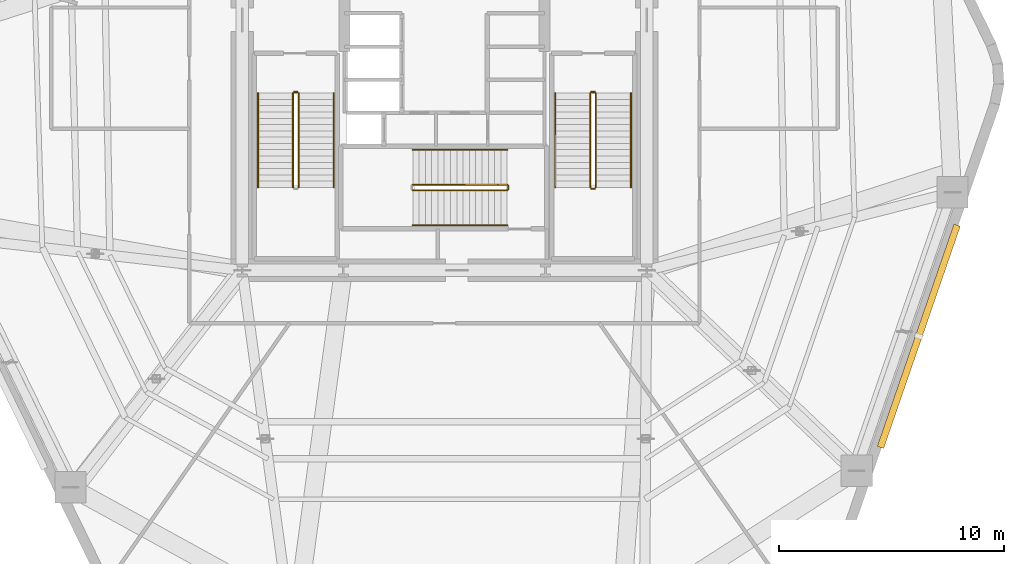
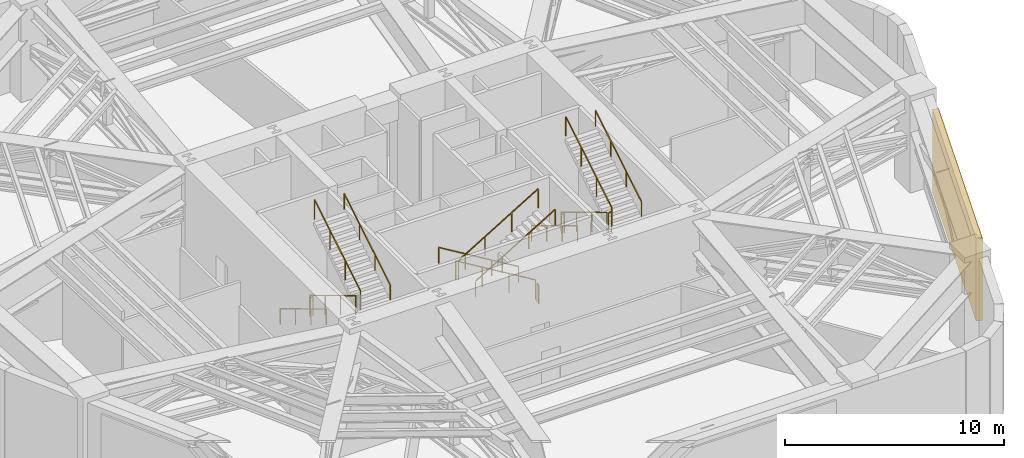
# One storey, part 10 of 11: 16 railings, 1 shading device.
"""IFC4 building model written with IfcOpenShell, lengths in metres."""

import ifcopenshell
import ifcopenshell.guid

model = None  # the IFC model being written
_history = None  # IfcOwnerHistory: only IFC2X3 demands one
_inside = {}  # id of a spatial element -> (the spatial element, [elements in it])
_under = {}  # id of a project, library or spatial element -> (it, [spatial elements below it])
_declared = {}  # id of a project -> (the project, [libraries it declares])
_typed = {}  # id of a type object -> (the type object, [elements of that type])
_made_of = {}  # id of a material, layer set ... -> (it, [elements and type objects made of it])


def new_model(schema):
    """Start an empty IFC model of exactly this schema.

    Asked for "IFC4X3", IfcOpenShell would pick the latest addendum, in which some entities
    have other attributes; the version numbers below select the first issue.
    IFC2X3 requires an IfcOwnerHistory on every rooted entity: one is made here for all.
    """
    global model, _history
    if schema == "IFC4X3":
        model = ifcopenshell.file(schema_version=(4, 3, 0, 0))
    else:
        model = ifcopenshell.file(schema=schema)
    _inside.clear()
    _under.clear()
    _declared.clear()
    _typed.clear()
    _made_of.clear()
    _history = None
    if model.schema == "IFC2X3":
        org = make("IfcOrganization", Name="unknown")
        user = make(
            "IfcPersonAndOrganization",
            ThePerson=make("IfcPerson", FamilyName="unknown"),
            TheOrganization=org,
        )
        app = make(
            "IfcApplication",
            ApplicationDeveloper=org,
            Version="unknown",
            ApplicationFullName="unknown",
            ApplicationIdentifier="unknown",
        )
        _history = make(
            "IfcOwnerHistory",
            OwningUser=user,
            OwningApplication=app,
            ChangeAction="ADDED",
            CreationDate=0,
        )
    return model


def make(cls, **values):
    """One entity of the class cls with the attributes given. An attribute that is None is left unset."""
    return model.create_entity(
        cls, **{name: value for name, value in values.items() if value is not None}
    )


def rooted(cls, **values):
    """An entity with a GlobalId (a new one), such as an element, a storey or a relation."""
    return make(cls, GlobalId=ifcopenshell.guid.new(), OwnerHistory=_history, **values)


def si_unit(unit_type, name, prefix=None):
    """IfcSIUnit, for example si_unit("LENGTHUNIT", "METRE", prefix="MILLI")."""
    return make("IfcSIUnit", UnitType=unit_type, Prefix=prefix, Name=name)


def assignment(units):
    """IfcUnitAssignment: the units of a project."""
    return None if units is None else make("IfcUnitAssignment", Units=units)


def point(xyz):
    """IfcCartesianPoint."""
    return None if xyz is None else make("IfcCartesianPoint", Coordinates=xyz)


def direction(xyz):
    """IfcDirection."""
    return None if xyz is None else make("IfcDirection", DirectionRatios=xyz)


def frame(location, z_axis=None, x_axis=None):
    """IfcAxis2Placement3D, a coordinate frame: its origin and axes. An axis left out is left unset."""
    return make(
        "IfcAxis2Placement3D",
        Location=point(location),
        Axis=direction(z_axis),
        RefDirection=direction(x_axis),
    )


def frame_2d(location, x_axis=None):
    """IfcAxis2Placement2D, a coordinate frame in the plane: its origin and x axis."""
    return make(
        "IfcAxis2Placement2D", Location=point(location), RefDirection=direction(x_axis)
    )


def origin():
    """The frame at (0, 0, 0) with its axes left unset."""
    return frame((0.0, 0.0, 0.0))


def origin_2d():
    """The frame at (0, 0) in the plane with its x axis left unset."""
    return frame_2d((0.0, 0.0))


def place(relative_to, where):
    """IfcLocalPlacement: puts the frame where relative to a parent placement (None: the world)."""
    return make(
        "IfcLocalPlacement", PlacementRelTo=relative_to, RelativePlacement=where
    )


def context(
    kind, dimensions, precision=None, world=None, true_north=None, identifier=None
):
    """IfcGeometricRepresentationContext, for example the 3D "Model" context."""
    return make(
        "IfcGeometricRepresentationContext",
        ContextIdentifier=identifier,
        ContextType=kind,
        CoordinateSpaceDimension=dimensions,
        Precision=precision,
        WorldCoordinateSystem=world,
        TrueNorth=true_north,
    )


def subcontext(parent, identifier, kind, view, scale=None):
    """IfcGeometricRepresentationSubContext, for example "Body" below "Model"."""
    return make(
        "IfcGeometricRepresentationSubContext",
        ContextIdentifier=identifier,
        ContextType=kind,
        ParentContext=parent,
        TargetScale=scale,
        TargetView=view,
    )


def project(units=None, contexts=None):
    """IfcProject with its units and contexts."""
    return rooted(
        "IfcProject",
        Name="project",
        RepresentationContexts=contexts,
        UnitsInContext=assignment(units),
    )


def spatial(cls, under=None, at=None, **own):
    """A site, building, storey or space (cls), placed at a placement, below another one or the project."""
    s = rooted(cls, ObjectPlacement=at, **own)
    if under is not None:
        _under.setdefault(under.id(), (under, []))[1].append(s)
    return s


def profile(cls, at=None, kind="AREA", **sizes):
    """A parametric profile (cls). Its sizes go by their IFC names, for example OverallWidth=200.0."""
    return make(cls, ProfileType=kind, Position=at, **sizes)


def rectangle(**sizes):
    """IfcRectangleProfileDef."""
    return profile("IfcRectangleProfileDef", **sizes)


def extrude(swept, where, along, depth):
    """IfcExtrudedAreaSolid: the profile swept, set in the frame where, extruded along a direction by depth."""
    return make(
        "IfcExtrudedAreaSolid",
        SweptArea=swept,
        Position=where,
        ExtrudedDirection=direction(along),
        Depth=depth,
    )


def shape(context_of_items, identifier, shape_type, items):
    """IfcShapeRepresentation: the items that make up one representation, for example the "Body"."""
    return make(
        "IfcShapeRepresentation",
        ContextOfItems=context_of_items,
        RepresentationIdentifier=identifier,
        RepresentationType=shape_type,
        Items=items,
    )


def material(Name=None, Category=None):
    """IfcMaterial."""
    return make("IfcMaterial", Name=Name, Category=Category)


def layer(
    of_material, thickness, ventilated=None, Name=None, Category=None, Priority=None
):
    """IfcMaterialLayer: one layer of a wall or slab, of a material (None: an air gap)."""
    return make(
        "IfcMaterialLayer",
        Material=of_material,
        LayerThickness=thickness,
        IsVentilated=ventilated,
        Name=Name,
        Category=Category,
        Priority=Priority,
    )


def layer_set(layers, Name=None):
    """IfcMaterialLayerSet."""
    return make("IfcMaterialLayerSet", MaterialLayers=layers, LayerSetName=Name)


def made_of(thing, what):
    """Note that an element or type object is made of a material, layer set ...; save() writes the relation."""
    if what is not None:
        _made_of.setdefault(what.id(), (what, []))[1].append(thing)
    return thing


def type_object(cls, material=None, **own):
    """A type object (cls), such as IfcWallType, which elements share."""
    return made_of(rooted(cls, **own), material)


def element(
    cls,
    number,
    at=None,
    inside=None,
    cuts=None,
    type_object=None,
    material=None,
    context=None,
    identifier="Body",
    shape_type=None,
    held_by="IfcProductDefinitionShape",
    body=None,
    shapes=None,
    **own,
):
    """One element of the class cls, such as IfcWall. Its Tag is "e" and its number.

    at: its placement. inside: the storey or other place that contains it. cuts: it is an
    opening in that element (IfcRelVoidsElement). A single representation is given by context,
    identifier, shape_type and body (its items); several are given by shapes. held_by: the class
    of the entity that holds the representations. save() writes the other relations.
    """
    e = rooted(cls, Tag="e%d" % number, ObjectPlacement=at, **own)
    if body is not None:
        shapes = [shape(context, identifier, shape_type, body)]
    if shapes is not None:
        e.Representation = make(held_by, Representations=shapes)
    if inside is not None:
        _inside.setdefault(inside.id(), (inside, []))[1].append(e)
    if cuts is not None:
        rooted(
            "IfcRelVoidsElement", RelatingBuildingElement=cuts, RelatedOpeningElement=e
        )
    if type_object is not None:
        _typed.setdefault(type_object.id(), (type_object, []))[1].append(e)
    return made_of(e, material)


def aggregate(whole, parts):
    """IfcRelAggregates: a whole, such as a stair, and the parts it consists of."""
    return rooted("IfcRelAggregates", RelatingObject=whole, RelatedObjects=parts)


def save(model, path):
    """Write the relations noted so far, then the file.

    IfcRelAggregates (storeys below a building ...), IfcRelContainedInSpatialStructure (elements
    in a storey), IfcRelDefinesByType, IfcRelAssociatesMaterial and IfcRelDeclares: one each for
    every whole, place, type object, material and project.
    """
    for whole, parts in _under.values():
        aggregate(whole, parts)
    for where, things in _inside.values():
        rooted(
            "IfcRelContainedInSpatialStructure",
            RelatedElements=things,
            RelatingStructure=where,
        )
    for kind, things in _typed.values():
        rooted("IfcRelDefinesByType", RelatedObjects=things, RelatingType=kind)
    for what, things in _made_of.values():
        rooted("IfcRelAssociatesMaterial", RelatedObjects=things, RelatingMaterial=what)
    for by, libraries in _declared.values():
        rooted("IfcRelDeclares", RelatingContext=by, RelatedDefinitions=libraries)
    model.write(path)


model = new_model("IFC4")

# Units and contexts
model_context = context("Model", 3, precision=1e-05, world=origin(), true_north=direction((0.0, 1.0)))
body_context = subcontext(model_context, "Body", "Model", "MODEL_VIEW")
ifc_project = project(units=[si_unit("LENGTHUNIT", "METRE"), si_unit("AREAUNIT", "SQUARE_METRE"), si_unit("VOLUMEUNIT", "CUBIC_METRE"), si_unit("PLANEANGLEUNIT", "RADIAN"), si_unit("MASSUNIT", "GRAM", prefix="KILO")], contexts=[model_context])

# Site, building, storey
site_placement = place(None, origin())
site = spatial("IfcSite", under=ifc_project, at=site_placement, CompositionType="ELEMENT")
building_placement = place(site_placement, origin())
building = spatial("IfcBuilding", under=site, at=building_placement, Name="Kilnhurst Terrace Hotel", CompositionType="ELEMENT")
storey_placement = place(building_placement, frame((0.0, 0.0, 86.0)))
storey = spatial("IfcBuildingStorey", under=building, at=storey_placement, Name="L20", CompositionType="ELEMENT", Elevation=86.0)

# Railings
ifc_material_1 = material(Name="Powder-Coated Steel ASTM A500 Grade B", Category="steel")
ifc_layer_1 = layer(ifc_material_1, 0.050048828125, Name="Powder-Coated Steel ASTM A500 Grade B")
ifc_layer_set_1 = layer_set([ifc_layer_1], Name="Powder-Coated Steel ASTM A500 Grade B")
railing_type_1 = type_object("IfcRailingType", Name="RLG-ST-GRD-1100", PredefinedType="GUARDRAIL", material=ifc_layer_set_1)
railing_1_placement = place(storey_placement, frame((-6.739990234375, 0.389892578125, 0.168701171875)))
element("IfcRailing", 1, at=railing_1_placement, inside=storey, type_object=railing_type_1, Name="L20 ST-1 stair guard 1", PredefinedType="GUARDRAIL", context=body_context, shape_type="SweptSolid", body=[
    extrude(rectangle(XDim=0.048095703125, YDim=0.048095703125, at=origin_2d()), frame((0.0, 0.0, 1.076171875), z_axis=(0.0, -0.856476492594, 0.516186030065), x_axis=(1.0, 0.0, 0.0)), (0.0, 0.0, 1.0), 4.90380859375),
    extrude(rectangle(XDim=0.0419921875, YDim=0.0419921875, at=origin_2d()), origin(), (0.0, 0.0, 1.0), 1.052001953125),
    extrude(rectangle(XDim=0.0419921875, YDim=0.0419921875, at=origin_2d()), frame((0.0, -1.39990234375, 0.84375)), (0.0, 0.0, 1.0), 1.052001953125),
    extrude(rectangle(XDim=0.0419921875, YDim=0.0419921875, at=origin_2d()), frame((0.0, -2.800048828125, 1.6875)), (0.0, 0.0, 1.0), 1.052001953125),
    extrude(rectangle(XDim=0.0419921875, YDim=0.0419921875, at=origin_2d()), frame((0.0, -4.199951171875, 2.53125)), (0.0, 0.0, 1.0), 1.052001953125),
])
railing_2_placement = place(storey_placement, frame((-6.489990234375, -3.81005859375, 2.86865234375)))
element("IfcRailing", 2, at=railing_2_placement, inside=storey, type_object=railing_type_1, Name="L20 ST-1 stair guard 3", PredefinedType="GUARDRAIL", context=body_context, shape_type="SweptSolid", body=[
    extrude(rectangle(XDim=0.048095703125, YDim=0.048095703125, at=origin_2d()), frame((0.0, 0.0, 1.076171875), z_axis=(0.0, 0.856476492594, 0.516186030065), x_axis=(-1.0, 0.0, 0.0)), (0.0, 0.0, 1.0), 4.90380859375),
    extrude(rectangle(XDim=0.0419921875, YDim=0.0419921875, at=origin_2d()), origin(), (0.0, 0.0, 1.0), 1.052001953125),
    extrude(rectangle(XDim=0.0419921875, YDim=0.0419921875, at=origin_2d()), frame((0.0, 1.39990234375, 0.84375)), (0.0, 0.0, 1.0), 1.052001953125),
    extrude(rectangle(XDim=0.0419921875, YDim=0.0419921875, at=origin_2d()), frame((0.0, 2.800048828125, 1.6875)), (0.0, 0.0, 1.0), 1.052001953125),
    extrude(rectangle(XDim=0.0419921875, YDim=0.0419921875, at=origin_2d()), frame((0.0, 4.199951171875, 2.53125)), (0.0, 0.0, 1.0), 1.052001953125),
])
railing_3_placement = place(storey_placement, frame((-6.68994140625, 0.43994140625, 0.0)))
element("IfcRailing", 3, at=railing_3_placement, inside=storey, type_object=railing_type_1, Name="L20 ST-1 stair guard 4", PredefinedType="GUARDRAIL", context=body_context, shape_type="SweptSolid", body=[
    extrude(rectangle(XDim=0.048095703125, YDim=0.048095703125, at=origin_2d()), frame((0.0, 0.0, 1.076171875), z_axis=(1.0, 0.0, 0.0), x_axis=(0.0, 1.0, 0.0)), (0.0, 0.0, 1.0), 0.14990234375),
    extrude(rectangle(XDim=0.0419921875, YDim=0.0419921875, at=origin_2d()), origin(), (0.0, 0.0, 1.0), 1.052001953125),
    extrude(rectangle(XDim=0.0419921875, YDim=0.0419921875, at=origin_2d()), frame((0.14990234375, 0.0, 0.0)), (0.0, 0.0, 1.0), 1.052001953125),
])
railing_4_placement = place(storey_placement, frame((6.489990234375, 0.389892578125, 0.168701171875)))
element("IfcRailing", 4, at=railing_4_placement, inside=storey, type_object=railing_type_1, Name="L20 ST-2 stair guard 1", PredefinedType="GUARDRAIL", context=body_context, shape_type="SweptSolid", body=[
    extrude(rectangle(XDim=0.048095703125, YDim=0.048095703125, at=origin_2d()), frame((0.0, 0.0, 1.076171875), z_axis=(0.0, -0.856476492594, 0.516186030065), x_axis=(1.0, 0.0, 0.0)), (0.0, 0.0, 1.0), 4.90380859375),
    extrude(rectangle(XDim=0.0419921875, YDim=0.0419921875, at=origin_2d()), origin(), (0.0, 0.0, 1.0), 1.052001953125),
    extrude(rectangle(XDim=0.0419921875, YDim=0.0419921875, at=origin_2d()), frame((0.0, -1.39990234375, 0.84375)), (0.0, 0.0, 1.0), 1.052001953125),
    extrude(rectangle(XDim=0.0419921875, YDim=0.0419921875, at=origin_2d()), frame((0.0, -2.800048828125, 1.6875)), (0.0, 0.0, 1.0), 1.052001953125),
    extrude(rectangle(XDim=0.0419921875, YDim=0.0419921875, at=origin_2d()), frame((0.0, -4.199951171875, 2.53125)), (0.0, 0.0, 1.0), 1.052001953125),
])
railing_5_placement = place(storey_placement, frame((6.5400390625, -3.860107421875, 2.699951171875)))
element("IfcRailing", 5, at=railing_5_placement, inside=storey, type_object=railing_type_1, Name="L20 ST-2 stair guard 2", PredefinedType="GUARDRAIL", context=body_context, shape_type="SweptSolid", body=[
    extrude(rectangle(XDim=0.048095703125, YDim=0.048095703125, at=origin_2d()), frame((0.0, 0.0, 1.076171875), z_axis=(1.0, 0.0, 0.0), x_axis=(0.0, 1.0, 0.0)), (0.0, 0.0, 1.0), 0.14990234375),
    extrude(rectangle(XDim=0.0419921875, YDim=0.0419921875, at=origin_2d()), origin(), (0.0, 0.0, 1.0), 1.052001953125),
    extrude(rectangle(XDim=0.0419921875, YDim=0.0419921875, at=origin_2d()), frame((0.14990234375, 0.0, 0.0)), (0.0, 0.0, 1.0), 1.052001953125),
])
railing_6_placement = place(storey_placement, frame((6.739990234375, -3.81005859375, 2.86865234375)))
element("IfcRailing", 6, at=railing_6_placement, inside=storey, type_object=railing_type_1, Name="L20 ST-2 stair guard 3", PredefinedType="GUARDRAIL", context=body_context, shape_type="SweptSolid", body=[
    extrude(rectangle(XDim=0.048095703125, YDim=0.048095703125, at=origin_2d()), frame((0.0, 0.0, 1.076171875), z_axis=(0.0, 0.856476492594, 0.516186030065), x_axis=(-1.0, 0.0, 0.0)), (0.0, 0.0, 1.0), 4.90380859375),
    extrude(rectangle(XDim=0.0419921875, YDim=0.0419921875, at=origin_2d()), origin(), (0.0, 0.0, 1.0), 1.052001953125),
    extrude(rectangle(XDim=0.0419921875, YDim=0.0419921875, at=origin_2d()), frame((0.0, 1.39990234375, 0.84375)), (0.0, 0.0, 1.0), 1.052001953125),
    extrude(rectangle(XDim=0.0419921875, YDim=0.0419921875, at=origin_2d()), frame((0.0, 2.800048828125, 1.6875)), (0.0, 0.0, 1.0), 1.052001953125),
    extrude(rectangle(XDim=0.0419921875, YDim=0.0419921875, at=origin_2d()), frame((0.0, 4.199951171875, 2.53125)), (0.0, 0.0, 1.0), 1.052001953125),
])
railing_7_placement = place(storey_placement, frame((6.5400390625, 0.43994140625, 0.0)))
element("IfcRailing", 7, at=railing_7_placement, inside=storey, type_object=railing_type_1, Name="L20 ST-2 stair guard 4", PredefinedType="GUARDRAIL", context=body_context, shape_type="SweptSolid", body=[
    extrude(rectangle(XDim=0.048095703125, YDim=0.048095703125, at=origin_2d()), frame((0.0, 0.0, 1.076171875), z_axis=(1.0, 0.0, 0.0), x_axis=(0.0, 1.0, 0.0)), (0.0, 0.0, 1.0), 0.14990234375),
    extrude(rectangle(XDim=0.0419921875, YDim=0.0419921875, at=origin_2d()), origin(), (0.0, 0.0, 1.0), 1.052001953125),
    extrude(rectangle(XDim=0.0419921875, YDim=0.0419921875, at=origin_2d()), frame((0.14990234375, 0.0, 0.0)), (0.0, 0.0, 1.0), 1.052001953125),
])
railing_8_placement = place(storey_placement, frame((2.7900390625, -3.68994140625, 0.168701171875)))
element("IfcRailing", 8, at=railing_8_placement, inside=storey, type_object=railing_type_1, Name="L20 ST-3 stair guard 1", PredefinedType="GUARDRAIL", context=body_context, shape_type="SweptSolid", body=[
    extrude(rectangle(XDim=0.048095703125, YDim=0.048095703125, at=origin_2d()), frame((0.0, 0.0, 1.076171875), z_axis=(-0.856476492594, 0.0, 0.516186030065), x_axis=(0.0, -1.0, 0.0)), (0.0, 0.0, 1.0), 4.90380859375),
    extrude(rectangle(XDim=0.0419921875, YDim=0.0419921875, at=origin_2d()), origin(), (0.0, 0.0, 1.0), 1.052001953125),
    extrude(rectangle(XDim=0.0419921875, YDim=0.0419921875, at=origin_2d()), frame((-1.39990234375, 0.0, 0.84375)), (0.0, 0.0, 1.0), 1.052001953125),
    extrude(rectangle(XDim=0.0419921875, YDim=0.0419921875, at=origin_2d()), frame((-2.800048828125, 0.0, 1.6875)), (0.0, 0.0, 1.0), 1.052001953125),
    extrude(rectangle(XDim=0.0419921875, YDim=0.0419921875, at=origin_2d()), frame((-4.199951171875, 0.0, 2.53125)), (0.0, 0.0, 1.0), 1.052001953125),
])
railing_9_placement = place(storey_placement, frame((-1.409912109375, -3.93994140625, 2.86865234375)))
element("IfcRailing", 9, at=railing_9_placement, inside=storey, type_object=railing_type_1, Name="L20 ST-3 stair guard 3", PredefinedType="GUARDRAIL", context=body_context, shape_type="SweptSolid", body=[
    extrude(rectangle(XDim=0.048095703125, YDim=0.048095703125, at=origin_2d()), frame((0.0, 0.0, 1.076171875), z_axis=(0.856476492594, 0.0, 0.516186030065), x_axis=(0.0, 1.0, 0.0)), (0.0, 0.0, 1.0), 4.90380859375),
    extrude(rectangle(XDim=0.0419921875, YDim=0.0419921875, at=origin_2d()), origin(), (0.0, 0.0, 1.0), 1.052001953125),
    extrude(rectangle(XDim=0.0419921875, YDim=0.0419921875, at=origin_2d()), frame((1.39990234375, 0.0, 0.84375)), (0.0, 0.0, 1.0), 1.052001953125),
    extrude(rectangle(XDim=0.0419921875, YDim=0.0419921875, at=origin_2d()), frame((2.800048828125, 0.0, 1.6875)), (0.0, 0.0, 1.0), 1.052001953125),
    extrude(rectangle(XDim=0.0419921875, YDim=0.0419921875, at=origin_2d()), frame((4.199951171875, 0.0, 2.53125)), (0.0, 0.0, 1.0), 1.052001953125),
])
railing_10_placement = place(storey_placement, frame((2.840087890625, -3.739990234375, 0.0)))
element("IfcRailing", 10, at=railing_10_placement, inside=storey, type_object=railing_type_1, Name="L20 ST-3 stair guard 4", PredefinedType="GUARDRAIL", context=body_context, shape_type="SweptSolid", body=[
    extrude(rectangle(XDim=0.048095703125, YDim=0.048095703125, at=origin_2d()), frame((0.0, 0.0, 1.076171875), z_axis=(0.0, -1.0, 0.0), x_axis=(1.0, 0.0, 0.0)), (0.0, 0.0, 1.0), 0.14990234375),
    extrude(rectangle(XDim=0.0419921875, YDim=0.0419921875, at=origin_2d()), origin(), (0.0, 0.0, 1.0), 1.052001953125),
    extrude(rectangle(XDim=0.0419921875, YDim=0.0419921875, at=origin_2d()), frame((0.0, -0.14990234375, 0.0)), (0.0, 0.0, 1.0), 1.052001953125),
])
ifc_material_2 = material(Name="Brushed Stainless Steel AISI 304", Category="steel")
ifc_layer_2 = layer(ifc_material_2, 0.048095703125, Name="Brushed Stainless Steel AISI 304")
ifc_layer_set_2 = layer_set([ifc_layer_2], Name="Brushed Stainless Steel AISI 304")
railing_type_2 = type_object("IfcRailingType", Name="RLG-ST-HRL-900", PredefinedType="HANDRAIL", material=ifc_layer_set_2)
railing_11_placement = place(storey_placement, frame((-8.300048828125, 0.389892578125, 0.168701171875)))
element("IfcRailing", 11, at=railing_11_placement, inside=storey, type_object=railing_type_2, Name="L20 ST-1 stair handrail 1", PredefinedType="HANDRAIL", context=body_context, shape_type="SweptSolid", body=[
    extrude(rectangle(XDim=0.048095703125, YDim=0.048095703125, at=origin_2d()), frame((0.0, 0.0, 0.8759765625), z_axis=(0.0, -0.856476492594, 0.516186030065), x_axis=(1.0, 0.0, 0.0)), (0.0, 0.0, 1.0), 4.90380859375),
    extrude(rectangle(XDim=0.0419921875, YDim=0.0419921875, at=origin_2d()), origin(), (0.0, 0.0, 1.0), 0.851806640625),
    extrude(rectangle(XDim=0.0419921875, YDim=0.0419921875, at=origin_2d()), frame((0.0, -1.39990234375, 0.84375)), (0.0, 0.0, 1.0), 0.851806640625),
    extrude(rectangle(XDim=0.0419921875, YDim=0.0419921875, at=origin_2d()), frame((0.0, -2.800048828125, 1.6875)), (0.0, 0.0, 1.0), 0.851806640625),
    extrude(rectangle(XDim=0.0419921875, YDim=0.0419921875, at=origin_2d()), frame((0.0, -4.199951171875, 2.53125)), (0.0, 0.0, 1.0), 0.851806640625),
])
railing_12_placement = place(storey_placement, frame((-4.929931640625, -3.81005859375, 2.86865234375)))
element("IfcRailing", 12, at=railing_12_placement, inside=storey, type_object=railing_type_2, Name="L20 ST-1 stair handrail 2", PredefinedType="HANDRAIL", context=body_context, shape_type="SweptSolid", body=[
    extrude(rectangle(XDim=0.048095703125, YDim=0.048095703125, at=origin_2d()), frame((0.0, 0.0, 0.8759765625), z_axis=(0.0, 0.856476492594, 0.516186030065), x_axis=(-1.0, 0.0, 0.0)), (0.0, 0.0, 1.0), 4.90380859375),
    extrude(rectangle(XDim=0.0419921875, YDim=0.0419921875, at=origin_2d()), origin(), (0.0, 0.0, 1.0), 0.851806640625),
    extrude(rectangle(XDim=0.0419921875, YDim=0.0419921875, at=origin_2d()), frame((0.0, 1.39990234375, 0.84375)), (0.0, 0.0, 1.0), 0.851806640625),
    extrude(rectangle(XDim=0.0419921875, YDim=0.0419921875, at=origin_2d()), frame((0.0, 2.800048828125, 1.6875)), (0.0, 0.0, 1.0), 0.851806640625),
    extrude(rectangle(XDim=0.0419921875, YDim=0.0419921875, at=origin_2d()), frame((0.0, 4.199951171875, 2.53125)), (0.0, 0.0, 1.0), 0.851806640625),
])
railing_13_placement = place(storey_placement, frame((4.929931640625, 0.389892578125, 0.168701171875)))
element("IfcRailing", 13, at=railing_13_placement, inside=storey, type_object=railing_type_2, Name="L20 ST-2 stair handrail 1", PredefinedType="HANDRAIL", context=body_context, shape_type="SweptSolid", body=[
    extrude(rectangle(XDim=0.048095703125, YDim=0.048095703125, at=origin_2d()), frame((0.0, 0.0, 0.8759765625), z_axis=(0.0, -0.856476492594, 0.516186030065), x_axis=(1.0, 0.0, 0.0)), (0.0, 0.0, 1.0), 4.90380859375),
    extrude(rectangle(XDim=0.0419921875, YDim=0.0419921875, at=origin_2d()), origin(), (0.0, 0.0, 1.0), 0.851806640625),
    extrude(rectangle(XDim=0.0419921875, YDim=0.0419921875, at=origin_2d()), frame((0.0, -1.39990234375, 0.84375)), (0.0, 0.0, 1.0), 0.851806640625),
    extrude(rectangle(XDim=0.0419921875, YDim=0.0419921875, at=origin_2d()), frame((0.0, -2.800048828125, 1.6875)), (0.0, 0.0, 1.0), 0.851806640625),
    extrude(rectangle(XDim=0.0419921875, YDim=0.0419921875, at=origin_2d()), frame((0.0, -4.199951171875, 2.53125)), (0.0, 0.0, 1.0), 0.851806640625),
])
railing_14_placement = place(storey_placement, frame((8.300048828125, -3.81005859375, 2.86865234375)))
element("IfcRailing", 14, at=railing_14_placement, inside=storey, type_object=railing_type_2, Name="L20 ST-2 stair handrail 2", PredefinedType="HANDRAIL", context=body_context, shape_type="SweptSolid", body=[
    extrude(rectangle(XDim=0.048095703125, YDim=0.048095703125, at=origin_2d()), frame((0.0, 0.0, 0.8759765625), z_axis=(0.0, 0.856476492594, 0.516186030065), x_axis=(-1.0, 0.0, 0.0)), (0.0, 0.0, 1.0), 4.90380859375),
    extrude(rectangle(XDim=0.0419921875, YDim=0.0419921875, at=origin_2d()), origin(), (0.0, 0.0, 1.0), 0.851806640625),
    extrude(rectangle(XDim=0.0419921875, YDim=0.0419921875, at=origin_2d()), frame((0.0, 1.39990234375, 0.84375)), (0.0, 0.0, 1.0), 0.851806640625),
    extrude(rectangle(XDim=0.0419921875, YDim=0.0419921875, at=origin_2d()), frame((0.0, 2.800048828125, 1.6875)), (0.0, 0.0, 1.0), 0.851806640625),
    extrude(rectangle(XDim=0.0419921875, YDim=0.0419921875, at=origin_2d()), frame((0.0, 4.199951171875, 2.53125)), (0.0, 0.0, 1.0), 0.851806640625),
])
railing_15_placement = place(storey_placement, frame((2.7900390625, -2.1298828125, 0.168701171875)))
element("IfcRailing", 15, at=railing_15_placement, inside=storey, type_object=railing_type_2, Name="L20 ST-3 stair handrail 1", PredefinedType="HANDRAIL", context=body_context, shape_type="SweptSolid", body=[
    extrude(rectangle(XDim=0.048095703125, YDim=0.048095703125, at=origin_2d()), frame((0.0, 0.0, 0.8759765625), z_axis=(-0.856476492594, 0.0, 0.516186030065), x_axis=(0.0, -1.0, 0.0)), (0.0, 0.0, 1.0), 4.90380859375),
    extrude(rectangle(XDim=0.0419921875, YDim=0.0419921875, at=origin_2d()), origin(), (0.0, 0.0, 1.0), 0.851806640625),
    extrude(rectangle(XDim=0.0419921875, YDim=0.0419921875, at=origin_2d()), frame((-1.39990234375, 0.0, 0.84375)), (0.0, 0.0, 1.0), 0.851806640625),
    extrude(rectangle(XDim=0.0419921875, YDim=0.0419921875, at=origin_2d()), frame((-2.800048828125, 0.0, 1.6875)), (0.0, 0.0, 1.0), 0.851806640625),
    extrude(rectangle(XDim=0.0419921875, YDim=0.0419921875, at=origin_2d()), frame((-4.199951171875, 0.0, 2.53125)), (0.0, 0.0, 1.0), 0.851806640625),
])
railing_16_placement = place(storey_placement, frame((-1.409912109375, -5.5, 2.86865234375)))
element("IfcRailing", 16, at=railing_16_placement, inside=storey, type_object=railing_type_2, Name="L20 ST-3 stair handrail 2", PredefinedType="HANDRAIL", context=body_context, shape_type="SweptSolid", body=[
    extrude(rectangle(XDim=0.048095703125, YDim=0.048095703125, at=origin_2d()), frame((0.0, 0.0, 0.8759765625), z_axis=(0.856476492594, 0.0, 0.516186030065), x_axis=(0.0, 1.0, 0.0)), (0.0, 0.0, 1.0), 4.90380859375),
    extrude(rectangle(XDim=0.0419921875, YDim=0.0419921875, at=origin_2d()), origin(), (0.0, 0.0, 1.0), 0.851806640625),
    extrude(rectangle(XDim=0.0419921875, YDim=0.0419921875, at=origin_2d()), frame((1.39990234375, 0.0, 0.84375)), (0.0, 0.0, 1.0), 0.851806640625),
    extrude(rectangle(XDim=0.0419921875, YDim=0.0419921875, at=origin_2d()), frame((2.800048828125, 0.0, 1.6875)), (0.0, 0.0, 1.0), 0.851806640625),
    extrude(rectangle(XDim=0.0419921875, YDim=0.0419921875, at=origin_2d()), frame((4.199951171875, 0.0, 2.53125)), (0.0, 0.0, 1.0), 0.851806640625),
])

# Shading device
ifc_material_3 = material(Name="Bronze Anodized Extruded Aluminium Alloy 6063-T6", Category="aluminium")
ifc_layer_3 = layer(ifc_material_3, 0.300048828125, Name="Bronze Anodized Extruded Aluminium Alloy 6063-T6")
ifc_layer_set_3 = layer_set([ifc_layer_3], Name="Bronze Anodized Extruded Aluminium Alloy 6063-T6")
shading_device_type = type_object("IfcShadingDeviceType", Name="SHD-LVR-4600", PredefinedType="USERDEFINED", material=ifc_layer_set_3)
shading_device_placement = place(storey_placement, frame((21.108154296875, -10.4345703125, 0.25), z_axis=(0.0, 0.0, 1.0), x_axis=(0.326063182175, 0.94534797891, 0.0)))
element("IfcShadingDevice", 17, at=shading_device_placement, inside=storey, type_object=shading_device_type, Name="L20 Mechanical Intake Storm Louvre F2", ObjectType="LOUVRE", PredefinedType="USERDEFINED", context=body_context, shape_type="SweptSolid", body=[
    extrude(rectangle(XDim=10.4609375, YDim=0.300048828125, at=origin_2d()), origin(), (0.0, 0.0, 1.0), 4.60009765625),
])

save(model, "model.ifc")
